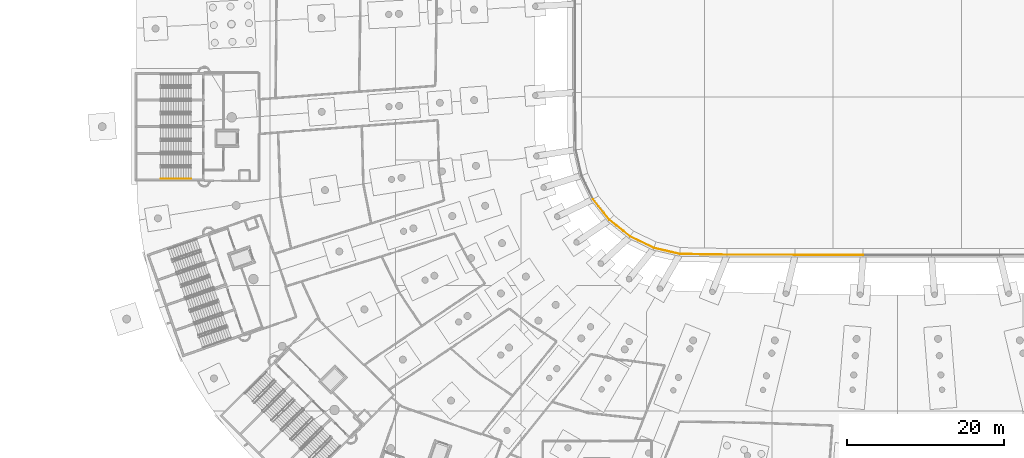
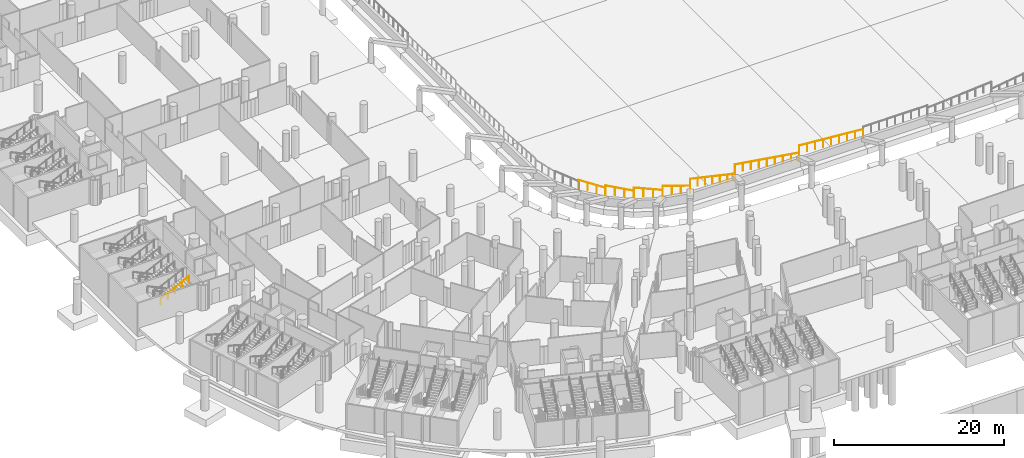
# One storey, part 114 of 142: 8 railings.
"""IFC4 building model written with IfcOpenShell, lengths in metres."""

from ifc_helpers import new_model, si_unit, direction, frame, origin, origin_2d, place, context, subcontext, project, spatial, circle, extrude, material, type_object, element, save


model = new_model("IFC4")

# Units and contexts
model_context = context("Model", 3, precision=1e-05, world=origin(), true_north=direction((0.0, 1.0)))
body_context = subcontext(model_context, "Body", "Model", "MODEL_VIEW")
ifc_project = project(units=[si_unit("LENGTHUNIT", "METRE"), si_unit("AREAUNIT", "SQUARE_METRE"), si_unit("VOLUMEUNIT", "CUBIC_METRE"), si_unit("PLANEANGLEUNIT", "RADIAN"), si_unit("MASSUNIT", "GRAM", prefix="KILO")], contexts=[model_context])

# Site, building, storey
site_placement = place(None, origin())
site = spatial("IfcSite", under=ifc_project, at=site_placement, CompositionType="ELEMENT")
building_placement = place(site_placement, origin())
building = spatial("IfcBuilding", under=site, at=building_placement, Name="Meseta Stadium", CompositionType="ELEMENT")
storey_placement = place(building_placement, frame((0.0, 0.0, -4.0)))
storey = spatial("IfcBuildingStorey", under=building, at=storey_placement, Name="B1", CompositionType="ELEMENT", Elevation=-4.0)

# Railings
ifc_material_1 = material(Name="Steel S355", Category="steel")
railing_type_1 = type_object("IfcRailingType", Name="Stair handrail 900", PredefinedType="HANDRAIL", material=ifc_material_1)
railing_1_placement = place(storey_placement, frame((-93.93994140625, -50.39990234375, 2.15380859375)))
element("IfcRailing", 1, at=railing_1_placement, inside=storey, type_object=railing_type_1, Name="ST76 B1 handrail 2", PredefinedType="HANDRAIL", context=body_context, shape_type="SweptSolid", body=[
    extrude(circle(Radius=0.02392578125, at=origin_2d()), frame((0.0, 0.0, 0.8759765625), z_axis=(0.901242096526, 0.0, 0.43331591645), x_axis=(0.0, 1.0, 0.0)), (0.0, 0.0, 1.0), 4.260498046875),
    extrude(circle(Radius=0.02099609375, at=origin_2d()), origin(), (0.0, 0.0, 1.0), 0.851806640625),
    extrude(circle(Radius=0.02099609375, at=origin_2d()), frame((0.9599609375, 0.0, 0.46142578125)), (0.0, 0.0, 1.0), 0.851806640625),
    extrude(circle(Radius=0.02099609375, at=origin_2d()), frame((1.919921875, 0.0, 0.923095703125)), (0.0, 0.0, 1.0), 0.851806640625),
    extrude(circle(Radius=0.02099609375, at=origin_2d()), frame((2.8798828125, 0.0, 1.384765625)), (0.0, 0.0, 1.0), 0.851806640625),
    extrude(circle(Radius=0.02099609375, at=origin_2d()), frame((3.83984375, 0.0, 1.84619140625)), (0.0, 0.0, 1.0), 0.851806640625),
])
ifc_material_2 = material(Name="Steel S355", Category="steel")
railing_type_2 = type_object("IfcRailingType", Name="Stand edge guard 1100", PredefinedType="GUARDRAIL", material=ifc_material_2)
railing_2_placement = place(storey_placement, frame((-38.791015625, -53.023681640625, 1.181396484375)))
element("IfcRailing", 2, at=railing_2_placement, inside=storey, type_object=railing_type_2, Name="Stand lower tier front guard bay 40", PredefinedType="GUARDRAIL", context=body_context, shape_type="SweptSolid", body=[
    extrude(circle(Radius=0.02490234375, at=origin_2d()), frame((0.0, 0.0, 1.0751953125), z_axis=(0.621107743399, -0.779920260037, -0.077133384955), x_axis=(0.782250755102, 0.62296368766, 0.0)), (0.0, 0.0, 1.0), 3.383544921875),
    extrude(circle(Radius=0.02001953125, at=origin_2d()), origin(), (0.0, 0.0, 1.0), 1.050048828125),
    extrude(circle(Radius=0.02001953125, at=origin_2d()), frame((0.700439453125, -0.879638671875, -0.0869140625)), (0.0, 0.0, 1.0), 1.050048828125),
    extrude(circle(Radius=0.02001953125, at=origin_2d()), frame((1.401123046875, -1.75927734375, -0.174072265625)), (0.0, 0.0, 1.0), 1.050048828125),
    extrude(circle(Radius=0.02001953125, at=origin_2d()), frame((2.1015625, -2.638916015625, -0.260986328125)), (0.0, 0.0, 1.0), 1.050048828125),
])
railing_3_placement = place(storey_placement, frame((-36.689453125, -55.66259765625, 1.247314453125)))
element("IfcRailing", 3, at=railing_3_placement, inside=storey, type_object=railing_type_2, Name="Stand lower tier front guard bay 41", PredefinedType="GUARDRAIL", context=body_context, shape_type="SweptSolid", body=[
    extrude(circle(Radius=0.02490234375, at=origin_2d()), frame((0.0, 0.0, 1.0751953125), z_axis=(0.775984803818, -0.620054561139, -0.115671627695), x_axis=(0.624244799045, 0.781228795466, 0.0)), (0.0, 0.0, 1.0), 3.39599609375),
    extrude(circle(Radius=0.02001953125, at=origin_2d()), origin(), (0.0, 0.0, 1.0), 1.050048828125),
    extrude(circle(Radius=0.02001953125, at=origin_2d()), frame((0.87841796875, -0.701904296875, -0.130859375)), (0.0, 0.0, 1.0), 1.050048828125),
    extrude(circle(Radius=0.02001953125, at=origin_2d()), frame((1.7568359375, -1.40380859375, -0.261962890625)), (0.0, 0.0, 1.0), 1.050048828125),
    extrude(circle(Radius=0.02001953125, at=origin_2d()), frame((2.63525390625, -2.105712890625, -0.392822265625)), (0.0, 0.0, 1.0), 1.050048828125),
])
railing_4_placement = place(storey_placement, frame((-34.05419921875, -57.768310546875, 1.309814453125)))
element("IfcRailing", 4, at=railing_4_placement, inside=storey, type_object=railing_type_2, Name="Stand lower tier front guard bay 42", PredefinedType="GUARDRAIL", context=body_context, shape_type="SweptSolid", body=[
    extrude(circle(Radius=0.02490234375, at=origin_2d()), frame((0.0, 0.0, 1.0751953125), z_axis=(0.889933187365, -0.430086681868, -0.151803715722), x_axis=(0.435129546324, 0.900367856998, 0.0)), (0.0, 0.0, 1.0), 3.412841796875),
    extrude(circle(Radius=0.02001953125, at=origin_2d()), origin(), (0.0, 0.0, 1.0), 1.050048828125),
    extrude(circle(Radius=0.02001953125, at=origin_2d()), frame((1.012451171875, -0.4892578125, -0.172607421875)), (0.0, 0.0, 1.0), 1.050048828125),
    extrude(circle(Radius=0.02001953125, at=origin_2d()), frame((2.024658203125, -0.978515625, -0.345458984375)), (0.0, 0.0, 1.0), 1.050048828125),
    extrude(circle(Radius=0.02001953125, at=origin_2d()), frame((3.037109375, -1.4677734375, -0.51806640625)), (0.0, 0.0, 1.0), 1.050048828125),
])
railing_5_placement = place(storey_placement, frame((-31.01708984375, -59.236083984375, 1.3681640625)))
element("IfcRailing", 5, at=railing_5_placement, inside=storey, type_object=railing_type_2, Name="Stand lower tier front guard bay 43", PredefinedType="GUARDRAIL", context=body_context, shape_type="SweptSolid", body=[
    extrude(circle(Radius=0.02490234375, at=origin_2d()), frame((0.0, 0.0, 1.0751953125), z_axis=(0.957750151687, -0.220269732643, -0.184921312519), x_axis=(0.224135320488, 0.974558032192, 0.0)), (0.0, 0.0, 1.0), 3.4326171875),
    extrude(circle(Radius=0.02001953125, at=origin_2d()), origin(), (0.0, 0.0, 1.0), 1.050048828125),
    extrude(circle(Radius=0.02001953125, at=origin_2d()), frame((1.095947265625, -0.251953125, -0.211669921875)), (0.0, 0.0, 1.0), 1.050048828125),
    extrude(circle(Radius=0.02001953125, at=origin_2d()), frame((2.191650390625, -0.504150390625, -0.423095703125)), (0.0, 0.0, 1.0), 1.050048828125),
    extrude(circle(Radius=0.02001953125, at=origin_2d()), frame((3.28759765625, -0.756103515625, -0.634765625)), (0.0, 0.0, 1.0), 1.050048828125),
])
railing_6_placement = place(storey_placement, frame((-27.7294921875, -59.9921875, 1.70068359375)))
element("IfcRailing", 6, at=railing_6_placement, inside=storey, type_object=railing_type_2, Name="Stand lower tier front guard bay 44", PredefinedType="GUARDRAIL", context=body_context, shape_type="SweptSolid", body=[
    extrude(circle(Radius=0.02490234375, at=origin_2d()), frame((0.0, 0.0, 1.0751953125), z_axis=(0.977386786679, -0.016354458427, -0.21082599677), x_axis=(0.016730499741, 0.999860035394, 0.0)), (0.0, 0.0, 1.0), 6.165283203125),
    extrude(circle(Radius=0.02001953125, at=origin_2d()), origin(), (0.0, 0.0, 1.0), 1.050048828125),
    extrude(circle(Radius=0.02001953125, at=origin_2d()), frame((1.00439453125, -0.016845703125, -0.216552734375)), (0.0, 0.0, 1.0), 1.050048828125),
    extrude(circle(Radius=0.02001953125, at=origin_2d()), frame((2.008544921875, -0.03369140625, -0.433349609375)), (0.0, 0.0, 1.0), 1.050048828125),
    extrude(circle(Radius=0.02001953125, at=origin_2d()), frame((3.012939453125, -0.05029296875, -0.64990234375)), (0.0, 0.0, 1.0), 1.050048828125),
    extrude(circle(Radius=0.02001953125, at=origin_2d()), frame((4.017333984375, -0.067138671875, -0.866455078125)), (0.0, 0.0, 1.0), 1.050048828125),
    extrude(circle(Radius=0.02001953125, at=origin_2d()), frame((5.021484375, -0.083984375, -1.083251953125)), (0.0, 0.0, 1.0), 1.050048828125),
    extrude(circle(Radius=0.02001953125, at=origin_2d()), frame((6.02587890625, -0.100830078125, -1.2998046875)), (0.0, 0.0, 1.0), 1.050048828125),
])
railing_7_placement = place(storey_placement, frame((-21.70361328125, -60.093017578125, 1.719482421875)))
element("IfcRailing", 7, at=railing_7_placement, inside=storey, type_object=railing_type_2, Name="Stand lower tier front guard bay 45", PredefinedType="GUARDRAIL", context=body_context, shape_type="SweptSolid", body=[
    extrude(circle(Radius=0.02490234375, at=origin_2d()), frame((0.0, 0.0, 1.0751953125), z_axis=(0.988338128851, -0.000500353996, -0.152274399377), x_axis=(0.000506257845, 0.999999871851, 0.0)), (0.0, 0.0, 1.0), 8.782958984375),
    extrude(circle(Radius=0.02001953125, at=origin_2d()), origin(), (0.0, 0.0, 1.0), 1.050048828125),
    extrude(circle(Radius=0.02001953125, at=origin_2d()), frame((1.0849609375, -0.00048828125, -0.167236328125)), (0.0, 0.0, 1.0), 1.050048828125),
    extrude(circle(Radius=0.02001953125, at=origin_2d()), frame((2.170166015625, -0.0009765625, -0.33447265625)), (0.0, 0.0, 1.0), 1.050048828125),
    extrude(circle(Radius=0.02001953125, at=origin_2d()), frame((3.255126953125, -0.001708984375, -0.50146484375)), (0.0, 0.0, 1.0), 1.050048828125),
    extrude(circle(Radius=0.02001953125, at=origin_2d()), frame((4.34033203125, -0.002197265625, -0.668701171875)), (0.0, 0.0, 1.0), 1.050048828125),
    extrude(circle(Radius=0.02001953125, at=origin_2d()), frame((5.42529296875, -0.002685546875, -0.8359375)), (0.0, 0.0, 1.0), 1.050048828125),
    extrude(circle(Radius=0.02001953125, at=origin_2d()), frame((6.51025390625, -0.00341796875, -1.0029296875)), (0.0, 0.0, 1.0), 1.050048828125),
    extrude(circle(Radius=0.02001953125, at=origin_2d()), frame((7.595458984375, -0.00390625, -1.170166015625)), (0.0, 0.0, 1.0), 1.050048828125),
    extrude(circle(Radius=0.02001953125, at=origin_2d()), frame((8.680419921875, -0.00439453125, -1.33740234375)), (0.0, 0.0, 1.0), 1.050048828125),
])
railing_8_placement = place(storey_placement, frame((-13.023193359375, -60.097412109375, 1.397216796875)))
element("IfcRailing", 8, at=railing_8_placement, inside=storey, type_object=railing_type_2, Name="Stand lower tier front guard bay 46", PredefinedType="GUARDRAIL", context=body_context, shape_type="SweptSolid", body=[
    extrude(circle(Radius=0.02490234375, at=origin_2d()), frame((0.0, 0.0, 1.0751953125), z_axis=(0.996830558854, -0.000252284104, -0.079553587526), x_axis=(0.000253086238, 0.999999967974, 0.0)), (0.0, 0.0, 1.0), 8.70947265625),
    extrude(circle(Radius=0.02001953125, at=origin_2d()), origin(), (0.0, 0.0, 1.0), 1.050048828125),
    extrude(circle(Radius=0.02001953125, at=origin_2d()), frame((1.085205078125, -0.000244140625, -0.086669921875)), (0.0, 0.0, 1.0), 1.050048828125),
    extrude(circle(Radius=0.02001953125, at=origin_2d()), frame((2.17041015625, -0.00048828125, -0.17333984375)), (0.0, 0.0, 1.0), 1.050048828125),
    extrude(circle(Radius=0.02001953125, at=origin_2d()), frame((3.255615234375, -0.000732421875, -0.259765625)), (0.0, 0.0, 1.0), 1.050048828125),
    extrude(circle(Radius=0.02001953125, at=origin_2d()), frame((4.3408203125, -0.0009765625, -0.346435546875)), (0.0, 0.0, 1.0), 1.050048828125),
    extrude(circle(Radius=0.02001953125, at=origin_2d()), frame((5.42626953125, -0.00146484375, -0.43310546875)), (0.0, 0.0, 1.0), 1.050048828125),
    extrude(circle(Radius=0.02001953125, at=origin_2d()), frame((6.511474609375, -0.001708984375, -0.51953125)), (0.0, 0.0, 1.0), 1.050048828125),
    extrude(circle(Radius=0.02001953125, at=origin_2d()), frame((7.5966796875, -0.001953125, -0.606201171875)), (0.0, 0.0, 1.0), 1.050048828125),
    extrude(circle(Radius=0.02001953125, at=origin_2d()), frame((8.681884765625, -0.002197265625, -0.69287109375)), (0.0, 0.0, 1.0), 1.050048828125),
])

save(model, "model.ifc")
